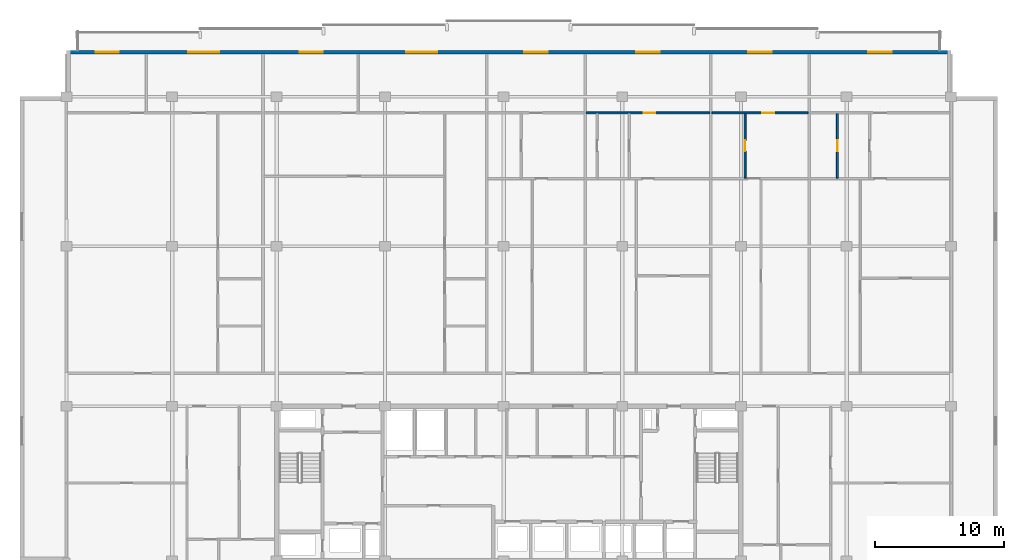
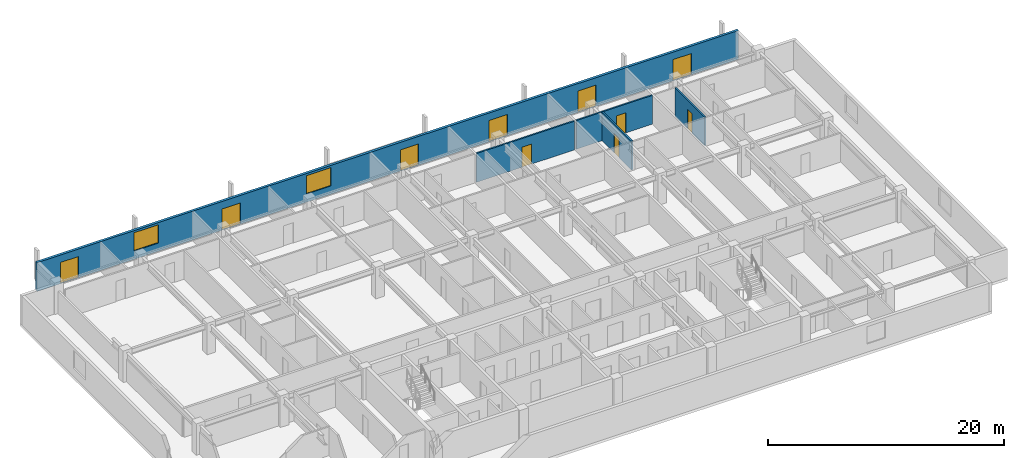
# One storey, part 14 of 21: 10 doors, 5 walls, 2 windows, 12 openings.
"""IFC4 building model written with IfcOpenShell, lengths in metres."""

from ifc_helpers import new_model, si_unit, direction, frame, frame_2d, origin, place, context, subcontext, project, spatial, rectangle, extrude, material, layer, layer_set, type_object, element, fill, save


model = new_model("IFC4")

# Units and contexts
model_context = context("Model", 3, precision=1e-05, world=origin(), true_north=direction((0.0, 1.0)))
body_context = subcontext(model_context, "Body", "Model", "MODEL_VIEW")
ifc_project = project(units=[si_unit("LENGTHUNIT", "METRE"), si_unit("AREAUNIT", "SQUARE_METRE"), si_unit("VOLUMEUNIT", "CUBIC_METRE"), si_unit("PLANEANGLEUNIT", "RADIAN"), si_unit("MASSUNIT", "GRAM", prefix="KILO")], contexts=[model_context])

# Site, building, storey
site_placement = place(None, origin())
site = spatial("IfcSite", under=ifc_project, at=site_placement, CompositionType="ELEMENT")
building_placement = place(site_placement, origin())
building = spatial("IfcBuilding", under=site, at=building_placement, Name="Korimba Cascade Residences", CompositionType="ELEMENT")
storey_placement = place(building_placement, frame((0.0, 0.0, 171.85009765625)))
storey = spatial("IfcBuildingStorey", under=building, at=storey_placement, Name="L49", CompositionType="ELEMENT", Elevation=171.85009765625)

# Wall, openings, doors, windows
ifc_material_1 = material(Name="Precast concrete C40/50", Category="concrete")
ifc_layer_1 = layer(ifc_material_1, 0.25)
ifc_layer_set_1 = layer_set([ifc_layer_1], Name="Precast concrete C40/50")
wall_type_1 = type_object("IfcWallType", Name="EW-LOG-250", PredefinedType="STANDARD", material=ifc_layer_set_1)
wall_1_placement = place(storey_placement, frame((128.39990234375, 94.64990234375, 0.0), z_axis=(0.0, 0.0, 1.0), x_axis=(-1.0, 0.0, 0.0)))
wall_1 = element("IfcWall", 1, at=wall_1_placement, inside=storey, type_object=wall_type_1, Name="L49 T1 Perimeter Stone Wall E06", PredefinedType="STANDARD", context=body_context, shape_type="SweptSolid", body=[
    extrude(rectangle(XDim=68.599853515625, YDim=0.25, at=frame_2d((34.2998046875, 0.0))), origin(), (0.0, 0.0, 1.0), 2.969970703125),
])
opening_1_placement = place(wall_1_placement, frame((64.539794921875, 0.0, 0.0)))
opening_1 = element("IfcOpeningElement", 2, at=opening_1_placement, cuts=wall_1, Name="Opening D-LG1", PredefinedType="OPENING", context=body_context, shape_type="SweptSolid", body=[
    extrude(rectangle(XDim=1.800048828125, YDim=2.199951171875, at=frame_2d((0.89990234375, 1.10009765625))), frame((0.0, 0.135009765625, 0.0), z_axis=(0.0, -1.0, 0.0), x_axis=(1.0, 0.0, 0.0)), (0.0, 0.0, 1.0), 0.27001953125),
])
opening_2_placement = place(wall_1_placement, frame((56.739013671875, 0.0, 0.85009765625)))
opening_2 = element("IfcOpeningElement", 3, at=opening_2_placement, cuts=wall_1, Name="Opening W-01", PredefinedType="OPENING", context=body_context, shape_type="SweptSolid", body=[
    extrude(rectangle(XDim=2.39990234375, YDim=1.89990234375, at=frame_2d((1.199951171875, 0.949951171875))), frame((0.0, 0.135009765625, 0.0), z_axis=(0.0, -1.0, 0.0), x_axis=(1.0, 0.0, 0.0)), (0.0, 0.0, 1.0), 0.27001953125),
])
opening_3_placement = place(wall_1_placement, frame((48.710205078125, 0.0, 0.0)))
opening_3 = element("IfcOpeningElement", 4, at=opening_3_placement, cuts=wall_1, Name="Opening D-LG1", PredefinedType="OPENING", context=body_context, shape_type="SweptSolid", body=[
    extrude(rectangle(XDim=1.800048828125, YDim=2.199951171875, at=frame_2d((0.89990234375, 1.10009765625))), frame((0.0, 0.135009765625, 0.0), z_axis=(0.0, -1.0, 0.0), x_axis=(1.0, 0.0, 0.0)), (0.0, 0.0, 1.0), 0.27001953125),
])
opening_4_placement = place(wall_1_placement, frame((39.8486328125, 0.0, 0.85009765625)))
opening_4 = element("IfcOpeningElement", 5, at=opening_4_placement, cuts=wall_1, Name="Opening W-01", PredefinedType="OPENING", context=body_context, shape_type="SweptSolid", body=[
    extrude(rectangle(XDim=2.39990234375, YDim=1.89990234375, at=frame_2d((1.199951171875, 0.949951171875))), frame((0.0, 0.135009765625, 0.0), z_axis=(0.0, -1.0, 0.0), x_axis=(1.0, 0.0, 0.0)), (0.0, 0.0, 1.0), 0.27001953125),
])
opening_5_placement = place(wall_1_placement, frame((31.285888671875, 0.0, 0.0)))
opening_5 = element("IfcOpeningElement", 6, at=opening_5_placement, cuts=wall_1, Name="Opening D-LG1", PredefinedType="OPENING", context=body_context, shape_type="SweptSolid", body=[
    extrude(rectangle(XDim=1.800048828125, YDim=2.199951171875, at=frame_2d((0.89990234375, 1.10009765625))), frame((0.0, 0.135009765625, 0.0), z_axis=(0.0, -1.0, 0.0), x_axis=(1.0, 0.0, 0.0)), (0.0, 0.0, 1.0), 0.27001953125),
])
opening_6_placement = place(wall_1_placement, frame((22.605712890625, 0.0, 0.0)))
opening_6 = element("IfcOpeningElement", 7, at=opening_6_placement, cuts=wall_1, Name="Opening D-LG1", PredefinedType="OPENING", context=body_context, shape_type="SweptSolid", body=[
    extrude(rectangle(XDim=1.800048828125, YDim=2.199951171875, at=frame_2d((0.89990234375, 1.10009765625))), frame((0.0, 0.135009765625, 0.0), z_axis=(0.0, -1.0, 0.0), x_axis=(1.0, 0.0, 0.0)), (0.0, 0.0, 1.0), 0.27001953125),
])
opening_7_placement = place(wall_1_placement, frame((13.925537109375, 0.0, 0.0)))
opening_7 = element("IfcOpeningElement", 8, at=opening_7_placement, cuts=wall_1, Name="Opening D-LG1", PredefinedType="OPENING", context=body_context, shape_type="SweptSolid", body=[
    extrude(rectangle(XDim=1.800048828125, YDim=2.199951171875, at=frame_2d((0.89990234375, 1.10009765625))), frame((0.0, 0.135009765625, 0.0), z_axis=(0.0, -1.0, 0.0), x_axis=(1.0, 0.0, 0.0)), (0.0, 0.0, 1.0), 0.27001953125),
])
opening_8_placement = place(wall_1_placement, frame((4.60791015625, 0.0, 0.0)))
opening_8 = element("IfcOpeningElement", 9, at=opening_8_placement, cuts=wall_1, Name="Opening D-LG1", PredefinedType="OPENING", context=body_context, shape_type="SweptSolid", body=[
    extrude(rectangle(XDim=1.800048828125, YDim=2.199951171875, at=frame_2d((0.89990234375, 1.10009765625))), frame((0.0, 0.135009765625, 0.0), z_axis=(0.0, -1.0, 0.0), x_axis=(1.0, 0.0, 0.0)), (0.0, 0.0, 1.0), 0.27001953125),
])
ifc_material_2 = material(Name="Glazed Aluminium Loggia Sliding Door", Category="aluminium")
door_type_1 = type_object("IfcDoorType", Name="DR-EXT-LOG", OperationType="NOTDEFINED", PredefinedType="DOOR", material=ifc_material_2)
door_1_placement = place(opening_1_placement, origin())
door_1 = element("IfcDoor", 10, at=door_1_placement, inside=storey, type_object=door_type_1, Name="L49 T1 Loggia Sliding Door 3", OperationType="SLIDING_TO_LEFT", OverallHeight=2.199951171875, OverallWidth=1.800048828125, PredefinedType="DOOR", context=body_context, shape_type="SweptSolid", body=[
    extrude(rectangle(XDim=1.800048828125, YDim=2.199951171875, at=frame_2d((0.89990234375, 1.10009765625))), frame((0.0, 0.02490234375, 0.0), z_axis=(0.0, -1.0, 0.0), x_axis=(1.0, 0.0, 0.0)), (0.0, 0.0, 1.0), 0.050048828125),
])
fill(opening_1, door_1)
door_2_placement = place(opening_3_placement, origin())
door_2 = element("IfcDoor", 11, at=door_2_placement, inside=storey, type_object=door_type_1, Name="L49 T1 Loggia Sliding Door 5", OperationType="SLIDING_TO_LEFT", OverallHeight=2.199951171875, OverallWidth=1.800048828125, PredefinedType="DOOR", context=body_context, shape_type="SweptSolid", body=[
    extrude(rectangle(XDim=1.800048828125, YDim=2.199951171875, at=frame_2d((0.89990234375, 1.10009765625))), frame((0.0, 0.02490234375, 0.0), z_axis=(0.0, -1.0, 0.0), x_axis=(1.0, 0.0, 0.0)), (0.0, 0.0, 1.0), 0.050048828125),
])
fill(opening_3, door_2)
door_3_placement = place(opening_5_placement, origin())
door_3 = element("IfcDoor", 12, at=door_3_placement, inside=storey, type_object=door_type_1, Name="L49 T1 Loggia Sliding Door 7", OperationType="SLIDING_TO_LEFT", OverallHeight=2.199951171875, OverallWidth=1.800048828125, PredefinedType="DOOR", context=body_context, shape_type="SweptSolid", body=[
    extrude(rectangle(XDim=1.800048828125, YDim=2.199951171875, at=frame_2d((0.89990234375, 1.10009765625))), frame((0.0, 0.02490234375, 0.0), z_axis=(0.0, -1.0, 0.0), x_axis=(1.0, 0.0, 0.0)), (0.0, 0.0, 1.0), 0.050048828125),
])
fill(opening_5, door_3)
door_4_placement = place(opening_6_placement, origin())
door_4 = element("IfcDoor", 13, at=door_4_placement, inside=storey, type_object=door_type_1, Name="L49 T1 Loggia Sliding Door 8", OperationType="SLIDING_TO_LEFT", OverallHeight=2.199951171875, OverallWidth=1.800048828125, PredefinedType="DOOR", context=body_context, shape_type="SweptSolid", body=[
    extrude(rectangle(XDim=1.800048828125, YDim=2.199951171875, at=frame_2d((0.89990234375, 1.10009765625))), frame((0.0, 0.02490234375, 0.0), z_axis=(0.0, -1.0, 0.0), x_axis=(1.0, 0.0, 0.0)), (0.0, 0.0, 1.0), 0.050048828125),
])
fill(opening_6, door_4)
door_5_placement = place(opening_7_placement, origin())
door_5 = element("IfcDoor", 14, at=door_5_placement, inside=storey, type_object=door_type_1, Name="L49 T1 Loggia Sliding Door 9", OperationType="SLIDING_TO_LEFT", OverallHeight=2.199951171875, OverallWidth=1.800048828125, PredefinedType="DOOR", context=body_context, shape_type="SweptSolid", body=[
    extrude(rectangle(XDim=1.800048828125, YDim=2.199951171875, at=frame_2d((0.89990234375, 1.10009765625))), frame((0.0, 0.02490234375, 0.0), z_axis=(0.0, -1.0, 0.0), x_axis=(1.0, 0.0, 0.0)), (0.0, 0.0, 1.0), 0.050048828125),
])
fill(opening_7, door_5)
door_6_placement = place(opening_8_placement, origin())
door_6 = element("IfcDoor", 15, at=door_6_placement, inside=storey, type_object=door_type_1, Name="L49 T1 Loggia Sliding Door 10", OperationType="SLIDING_TO_LEFT", OverallHeight=2.199951171875, OverallWidth=1.800048828125, PredefinedType="DOOR", context=body_context, shape_type="SweptSolid", body=[
    extrude(rectangle(XDim=1.800048828125, YDim=2.199951171875, at=frame_2d((0.89990234375, 1.10009765625))), frame((0.0, 0.02490234375, 0.0), z_axis=(0.0, -1.0, 0.0), x_axis=(1.0, 0.0, 0.0)), (0.0, 0.0, 1.0), 0.050048828125),
])
fill(opening_8, door_6)
ifc_material_3 = material(Name="Double-Glazed Aluminium Window", Category="aluminium")
window_type = type_object("IfcWindowType", Name="WIN-RES-2400", PartitioningType="DOUBLE_PANEL_VERTICAL", PredefinedType="WINDOW", material=ifc_material_3)
window_1_placement = place(opening_2_placement, origin())
window_1 = element("IfcWindow", 16, at=window_1_placement, inside=storey, type_object=window_type, Name="L49 T1 North Facade Window 4", OverallHeight=1.89990234375, OverallWidth=2.39990234375, PartitioningType="DOUBLE_PANEL_VERTICAL", PredefinedType="WINDOW", context=body_context, shape_type="SweptSolid", body=[
    extrude(rectangle(XDim=2.39990234375, YDim=1.89990234375, at=frame_2d((1.199951171875, 0.949951171875))), frame((0.0, 0.030029296875, 0.0), z_axis=(0.0, -1.0, 0.0), x_axis=(1.0, 0.0, 0.0)), (0.0, 0.0, 1.0), 0.06005859375),
])
fill(opening_2, window_1)
window_2_placement = place(opening_4_placement, origin())
window_2 = element("IfcWindow", 17, at=window_2_placement, inside=storey, type_object=window_type, Name="L49 T1 North Facade Window 6", OverallHeight=1.89990234375, OverallWidth=2.39990234375, PartitioningType="DOUBLE_PANEL_VERTICAL", PredefinedType="WINDOW", context=body_context, shape_type="SweptSolid", body=[
    extrude(rectangle(XDim=2.39990234375, YDim=1.89990234375, at=frame_2d((1.199951171875, 0.949951171875))), frame((0.0, 0.030029296875, 0.0), z_axis=(0.0, -1.0, 0.0), x_axis=(1.0, 0.0, 0.0)), (0.0, 0.0, 1.0), 0.06005859375),
])
fill(opening_4, window_2)

# Wall, opening, door
ifc_material_4 = material(Name="Insulated Acoustic Stud Partition", Category="gypsum")
ifc_layer_2 = layer(ifc_material_4, 0.14990234375)
ifc_layer_set_2 = layer_set([ifc_layer_2], Name="Insulated Acoustic Stud Partition")
wall_type_2 = type_object("IfcWallType", Name="WAL-PART-150", PredefinedType="PARTITIONING", material=ifc_layer_set_2)
wall_2_placement = place(storey_placement, frame((100.103759765625, 89.949951171875, 0.0), z_axis=(0.0, 0.0, 1.0), x_axis=(1.0, 0.0, 0.0)))
wall_2 = element("IfcWall", 18, at=wall_2_placement, inside=storey, type_object=wall_type_2, Name="L49 Partition Wall WAL-L49-T1-U04-HZ", PredefinedType="PARTITIONING", context=body_context, shape_type="SweptSolid", body=[
    extrude(rectangle(XDim=9.5810546875, YDim=0.14990234375, at=frame_2d((4.79052734375, 0.0))), origin(), (0.0, 0.0, 1.0), 2.969970703125),
])
opening_9_placement = place(wall_2_placement, frame((4.451416015625, 0.0, 0.0)))
opening_9 = element("IfcOpeningElement", 19, at=opening_9_placement, cuts=wall_2, Name="Opening D-IN1", PredefinedType="OPENING", context=body_context, shape_type="SweptSolid", body=[
    extrude(rectangle(XDim=0.919921875, YDim=2.080078125, at=frame_2d((0.4599609375, 1.0400390625))), frame((0.0, 0.0849609375, 0.0), z_axis=(0.0, -1.0, 0.0), x_axis=(1.0, 0.0, 0.0)), (0.0, 0.0, 1.0), 0.169921875),
])
ifc_material_5 = material(Name="Acoustic Timber Living Door", Category="wood")
door_type_2 = type_object("IfcDoorType", Name="DR-INT-920", OperationType="NOTDEFINED", PredefinedType="DOOR", material=ifc_material_5)
door_7_placement = place(opening_9_placement, origin())
door_7 = element("IfcDoor", 20, at=door_7_placement, inside=storey, type_object=door_type_2, Name="L49-T1-U04 Studio Door", OperationType="SINGLE_SWING_LEFT", OverallHeight=2.080078125, OverallWidth=0.919921875, PredefinedType="DOOR", context=body_context, shape_type="SweptSolid", body=[
    extrude(rectangle(XDim=0.919921875, YDim=2.080078125, at=frame_2d((0.4599609375, 1.0400390625))), frame((0.0, 0.02490234375, 0.0), z_axis=(0.0, -1.0, 0.0), x_axis=(1.0, 0.0, 0.0)), (0.0, 0.0, 1.0), 0.050048828125),
])
fill(opening_9, door_7)

wall_3_placement = place(storey_placement, frame((112.4248046875, 84.889892578125, 0.0), z_axis=(0.0, 0.0, 1.0), x_axis=(0.0, 1.0, 0.0)))
wall_3 = element("IfcWall", 21, at=wall_3_placement, inside=storey, type_object=wall_type_2, Name="L49 Partition Wall WAL-L49-T1-U05-BM", PredefinedType="PARTITIONING", context=body_context, shape_type="SweptSolid", body=[
    extrude(rectangle(XDim=5.0, YDim=0.14990234375, at=frame_2d((2.5, 0.0))), origin(), (0.0, 0.0, 1.0), 2.969970703125),
])
opening_10_placement = place(wall_3_placement, frame((2.080078125, 0.0, 0.0)))
opening_10 = element("IfcOpeningElement", 22, at=opening_10_placement, cuts=wall_3, Name="Opening D-BT1", PredefinedType="OPENING", context=body_context, shape_type="SweptSolid", body=[
    extrude(rectangle(XDim=0.840087890625, YDim=2.0400390625, at=frame_2d((0.419921875, 1.02001953125))), frame((0.0, 0.0849609375, 0.0), z_axis=(0.0, -1.0, 0.0), x_axis=(1.0, 0.0, 0.0)), (0.0, 0.0, 1.0), 0.169921875),
])
ifc_material_6 = material(Name="Moisture-Resistant Bathroom Timber Door", Category="wood")
door_type_3 = type_object("IfcDoorType", Name="DR-INT-850", OperationType="NOTDEFINED", PredefinedType="DOOR", material=ifc_material_6)
door_8_placement = place(opening_10_placement, origin())
door_8 = element("IfcDoor", 23, at=door_8_placement, inside=storey, type_object=door_type_3, Name="L49-T1-U05 Bathroom Door", OperationType="SINGLE_SWING_LEFT", OverallHeight=2.0400390625, OverallWidth=0.840087890625, PredefinedType="DOOR", context=body_context, shape_type="SweptSolid", body=[
    extrude(rectangle(XDim=0.840087890625, YDim=2.0400390625, at=frame_2d((0.419921875, 1.02001953125))), frame((0.0, 0.02490234375, 0.0), z_axis=(0.0, -1.0, 0.0), x_axis=(1.0, 0.0, 0.0)), (0.0, 0.0, 1.0), 0.050048828125),
])
fill(opening_10, door_8)

wall_4_placement = place(storey_placement, frame((109.8447265625, 89.949951171875, 0.0), z_axis=(0.0, 0.0, 1.0), x_axis=(1.0, 0.0, 0.0)))
wall_4 = element("IfcWall", 24, at=wall_4_placement, inside=storey, type_object=wall_type_2, Name="L49 Partition Wall WAL-L49-T1-U05-HZ", PredefinedType="PARTITIONING", context=body_context, shape_type="SweptSolid", body=[
    extrude(rectangle(XDim=7.459228515625, YDim=0.14990234375, at=frame_2d((3.7294921875, 0.0))), origin(), (0.0, 0.0, 1.0), 2.969970703125),
])
opening_11_placement = place(wall_4_placement, frame((3.924072265625, 0.0, 0.0)))
opening_11 = element("IfcOpeningElement", 25, at=opening_11_placement, cuts=wall_4, Name="Opening D-IN1", PredefinedType="OPENING", context=body_context, shape_type="SweptSolid", body=[
    extrude(rectangle(XDim=0.919921875, YDim=2.080078125, at=frame_2d((0.4599609375, 1.0400390625))), frame((0.0, 0.0849609375, 0.0), z_axis=(0.0, -1.0, 0.0), x_axis=(1.0, 0.0, 0.0)), (0.0, 0.0, 1.0), 0.169921875),
])
door_9_placement = place(opening_11_placement, origin())
door_9 = element("IfcDoor", 26, at=door_9_placement, inside=storey, type_object=door_type_2, Name="L49-T1-U05 Studio Door", OperationType="SINGLE_SWING_LEFT", OverallHeight=2.080078125, OverallWidth=0.919921875, PredefinedType="DOOR", context=body_context, shape_type="SweptSolid", body=[
    extrude(rectangle(XDim=0.919921875, YDim=2.080078125, at=frame_2d((0.4599609375, 1.0400390625))), frame((0.0, 0.02490234375, 0.0), z_axis=(0.0, -1.0, 0.0), x_axis=(1.0, 0.0, 0.0)), (0.0, 0.0, 1.0), 0.050048828125),
])
fill(opening_11, door_9)

wall_5_placement = place(storey_placement, frame((119.580078125, 84.889892578125, 0.0), z_axis=(0.0, 0.0, 1.0), x_axis=(0.0, 1.0, 0.0)))
wall_5 = element("IfcWall", 27, at=wall_5_placement, inside=storey, type_object=wall_type_2, Name="L49 Partition Wall WAL-L49-T1-U06-CLS", PredefinedType="PARTITIONING", context=body_context, shape_type="SweptSolid", body=[
    extrude(rectangle(XDim=5.0, YDim=0.14990234375, at=frame_2d((2.5, 0.0))), origin(), (0.0, 0.0, 1.0), 2.969970703125),
])
opening_12_placement = place(wall_5_placement, frame((2.080078125, 0.0, 0.0)))
opening_12 = element("IfcOpeningElement", 28, at=opening_12_placement, cuts=wall_5, Name="Opening D-BT1", PredefinedType="OPENING", context=body_context, shape_type="SweptSolid", body=[
    extrude(rectangle(XDim=0.840087890625, YDim=2.0400390625, at=frame_2d((0.419921875, 1.02001953125))), frame((0.0, 0.0849609375, 0.0), z_axis=(0.0, -1.0, 0.0), x_axis=(1.0, 0.0, 0.0)), (0.0, 0.0, 1.0), 0.169921875),
])
door_10_placement = place(opening_12_placement, origin())
door_10 = element("IfcDoor", 29, at=door_10_placement, inside=storey, type_object=door_type_3, Name="L49-T1-U06 Closet Door", OperationType="SINGLE_SWING_RIGHT", OverallHeight=2.0400390625, OverallWidth=0.840087890625, PredefinedType="DOOR", context=body_context, shape_type="SweptSolid", body=[
    extrude(rectangle(XDim=0.840087890625, YDim=2.0400390625, at=frame_2d((0.419921875, 1.02001953125))), frame((0.0, 0.02490234375, 0.0), z_axis=(0.0, -1.0, 0.0), x_axis=(1.0, 0.0, 0.0)), (0.0, 0.0, 1.0), 0.050048828125),
])
fill(opening_12, door_10)

save(model, "model.ifc")
